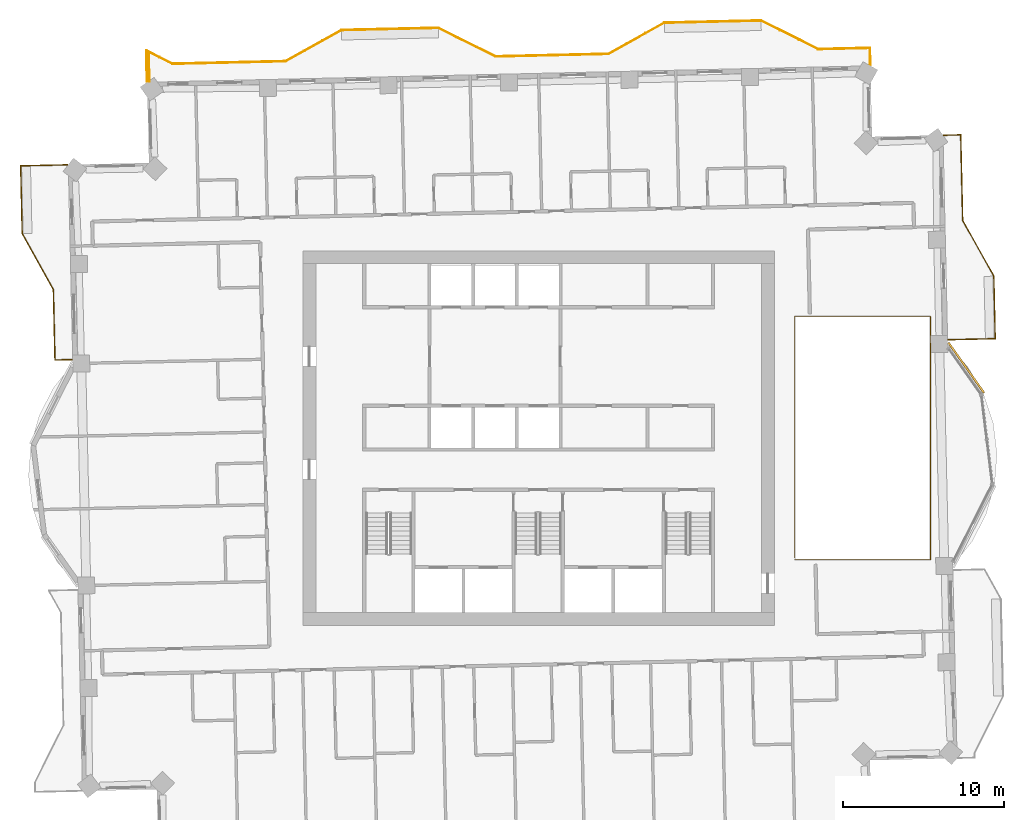
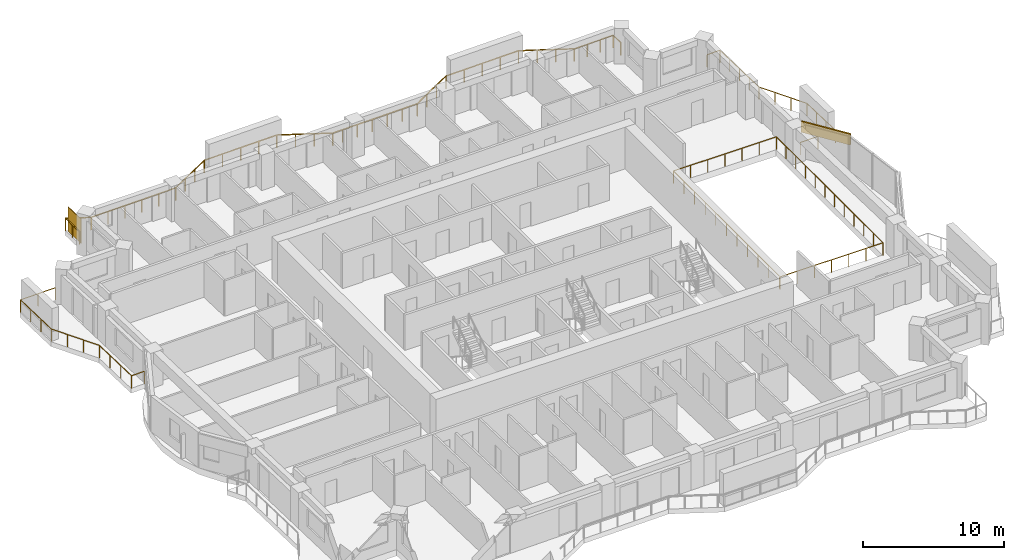
# One storey, part 17 of 17: 4 railings, 1 covering, 1 shading device.
"""IFC4 building model written with IfcOpenShell, lengths in metres."""

import ifcopenshell
import ifcopenshell.guid

model = None  # the IFC model being written
_history = None  # IfcOwnerHistory: only IFC2X3 demands one
_inside = {}  # id of a spatial element -> (the spatial element, [elements in it])
_under = {}  # id of a project, library or spatial element -> (it, [spatial elements below it])
_declared = {}  # id of a project -> (the project, [libraries it declares])
_typed = {}  # id of a type object -> (the type object, [elements of that type])
_made_of = {}  # id of a material, layer set ... -> (it, [elements and type objects made of it])


def new_model(schema):
    """Start an empty IFC model of exactly this schema.

    Asked for "IFC4X3", IfcOpenShell would pick the latest addendum, in which some entities
    have other attributes; the version numbers below select the first issue.
    IFC2X3 requires an IfcOwnerHistory on every rooted entity: one is made here for all.
    """
    global model, _history
    if schema == "IFC4X3":
        model = ifcopenshell.file(schema_version=(4, 3, 0, 0))
    else:
        model = ifcopenshell.file(schema=schema)
    _inside.clear()
    _under.clear()
    _declared.clear()
    _typed.clear()
    _made_of.clear()
    _history = None
    if model.schema == "IFC2X3":
        org = make("IfcOrganization", Name="unknown")
        user = make(
            "IfcPersonAndOrganization",
            ThePerson=make("IfcPerson", FamilyName="unknown"),
            TheOrganization=org,
        )
        app = make(
            "IfcApplication",
            ApplicationDeveloper=org,
            Version="unknown",
            ApplicationFullName="unknown",
            ApplicationIdentifier="unknown",
        )
        _history = make(
            "IfcOwnerHistory",
            OwningUser=user,
            OwningApplication=app,
            ChangeAction="ADDED",
            CreationDate=0,
        )
    return model


def make(cls, **values):
    """One entity of the class cls with the attributes given. An attribute that is None is left unset."""
    return model.create_entity(
        cls, **{name: value for name, value in values.items() if value is not None}
    )


def rooted(cls, **values):
    """An entity with a GlobalId (a new one), such as an element, a storey or a relation."""
    return make(cls, GlobalId=ifcopenshell.guid.new(), OwnerHistory=_history, **values)


def si_unit(unit_type, name, prefix=None):
    """IfcSIUnit, for example si_unit("LENGTHUNIT", "METRE", prefix="MILLI")."""
    return make("IfcSIUnit", UnitType=unit_type, Prefix=prefix, Name=name)


def assignment(units):
    """IfcUnitAssignment: the units of a project."""
    return None if units is None else make("IfcUnitAssignment", Units=units)


def point(xyz):
    """IfcCartesianPoint."""
    return None if xyz is None else make("IfcCartesianPoint", Coordinates=xyz)


def direction(xyz):
    """IfcDirection."""
    return None if xyz is None else make("IfcDirection", DirectionRatios=xyz)


def frame(location, z_axis=None, x_axis=None):
    """IfcAxis2Placement3D, a coordinate frame: its origin and axes. An axis left out is left unset."""
    return make(
        "IfcAxis2Placement3D",
        Location=point(location),
        Axis=direction(z_axis),
        RefDirection=direction(x_axis),
    )


def frame_2d(location, x_axis=None):
    """IfcAxis2Placement2D, a coordinate frame in the plane: its origin and x axis."""
    return make(
        "IfcAxis2Placement2D", Location=point(location), RefDirection=direction(x_axis)
    )


def origin():
    """The frame at (0, 0, 0) with its axes left unset."""
    return frame((0.0, 0.0, 0.0))


def origin_2d():
    """The frame at (0, 0) in the plane with its x axis left unset."""
    return frame_2d((0.0, 0.0))


def place(relative_to, where):
    """IfcLocalPlacement: puts the frame where relative to a parent placement (None: the world)."""
    return make(
        "IfcLocalPlacement", PlacementRelTo=relative_to, RelativePlacement=where
    )


def context(
    kind, dimensions, precision=None, world=None, true_north=None, identifier=None
):
    """IfcGeometricRepresentationContext, for example the 3D "Model" context."""
    return make(
        "IfcGeometricRepresentationContext",
        ContextIdentifier=identifier,
        ContextType=kind,
        CoordinateSpaceDimension=dimensions,
        Precision=precision,
        WorldCoordinateSystem=world,
        TrueNorth=true_north,
    )


def subcontext(parent, identifier, kind, view, scale=None):
    """IfcGeometricRepresentationSubContext, for example "Body" below "Model"."""
    return make(
        "IfcGeometricRepresentationSubContext",
        ContextIdentifier=identifier,
        ContextType=kind,
        ParentContext=parent,
        TargetScale=scale,
        TargetView=view,
    )


def project(units=None, contexts=None):
    """IfcProject with its units and contexts."""
    return rooted(
        "IfcProject",
        Name="project",
        RepresentationContexts=contexts,
        UnitsInContext=assignment(units),
    )


def spatial(cls, under=None, at=None, **own):
    """A site, building, storey or space (cls), placed at a placement, below another one or the project."""
    s = rooted(cls, ObjectPlacement=at, **own)
    if under is not None:
        _under.setdefault(under.id(), (under, []))[1].append(s)
    return s


def profile(cls, at=None, kind="AREA", **sizes):
    """A parametric profile (cls). Its sizes go by their IFC names, for example OverallWidth=200.0."""
    return make(cls, ProfileType=kind, Position=at, **sizes)


def rectangle(**sizes):
    """IfcRectangleProfileDef."""
    return profile("IfcRectangleProfileDef", **sizes)


def extrude(swept, where, along, depth):
    """IfcExtrudedAreaSolid: the profile swept, set in the frame where, extruded along a direction by depth."""
    return make(
        "IfcExtrudedAreaSolid",
        SweptArea=swept,
        Position=where,
        ExtrudedDirection=direction(along),
        Depth=depth,
    )


def shape(context_of_items, identifier, shape_type, items):
    """IfcShapeRepresentation: the items that make up one representation, for example the "Body"."""
    return make(
        "IfcShapeRepresentation",
        ContextOfItems=context_of_items,
        RepresentationIdentifier=identifier,
        RepresentationType=shape_type,
        Items=items,
    )


def material(Name=None, Category=None):
    """IfcMaterial."""
    return make("IfcMaterial", Name=Name, Category=Category)


def layer(
    of_material, thickness, ventilated=None, Name=None, Category=None, Priority=None
):
    """IfcMaterialLayer: one layer of a wall or slab, of a material (None: an air gap)."""
    return make(
        "IfcMaterialLayer",
        Material=of_material,
        LayerThickness=thickness,
        IsVentilated=ventilated,
        Name=Name,
        Category=Category,
        Priority=Priority,
    )


def layer_set(layers, Name=None):
    """IfcMaterialLayerSet."""
    return make("IfcMaterialLayerSet", MaterialLayers=layers, LayerSetName=Name)


def made_of(thing, what):
    """Note that an element or type object is made of a material, layer set ...; save() writes the relation."""
    if what is not None:
        _made_of.setdefault(what.id(), (what, []))[1].append(thing)
    return thing


def type_object(cls, material=None, **own):
    """A type object (cls), such as IfcWallType, which elements share."""
    return made_of(rooted(cls, **own), material)


def element(
    cls,
    number,
    at=None,
    inside=None,
    cuts=None,
    type_object=None,
    material=None,
    context=None,
    identifier="Body",
    shape_type=None,
    held_by="IfcProductDefinitionShape",
    body=None,
    shapes=None,
    **own,
):
    """One element of the class cls, such as IfcWall. Its Tag is "e" and its number.

    at: its placement. inside: the storey or other place that contains it. cuts: it is an
    opening in that element (IfcRelVoidsElement). A single representation is given by context,
    identifier, shape_type and body (its items); several are given by shapes. held_by: the class
    of the entity that holds the representations. save() writes the other relations.
    """
    e = rooted(cls, Tag="e%d" % number, ObjectPlacement=at, **own)
    if body is not None:
        shapes = [shape(context, identifier, shape_type, body)]
    if shapes is not None:
        e.Representation = make(held_by, Representations=shapes)
    if inside is not None:
        _inside.setdefault(inside.id(), (inside, []))[1].append(e)
    if cuts is not None:
        rooted(
            "IfcRelVoidsElement", RelatingBuildingElement=cuts, RelatedOpeningElement=e
        )
    if type_object is not None:
        _typed.setdefault(type_object.id(), (type_object, []))[1].append(e)
    return made_of(e, material)


def aggregate(whole, parts):
    """IfcRelAggregates: a whole, such as a stair, and the parts it consists of."""
    return rooted("IfcRelAggregates", RelatingObject=whole, RelatedObjects=parts)


def save(model, path):
    """Write the relations noted so far, then the file.

    IfcRelAggregates (storeys below a building ...), IfcRelContainedInSpatialStructure (elements
    in a storey), IfcRelDefinesByType, IfcRelAssociatesMaterial and IfcRelDeclares: one each for
    every whole, place, type object, material and project.
    """
    for whole, parts in _under.values():
        aggregate(whole, parts)
    for where, things in _inside.values():
        rooted(
            "IfcRelContainedInSpatialStructure",
            RelatedElements=things,
            RelatingStructure=where,
        )
    for kind, things in _typed.values():
        rooted("IfcRelDefinesByType", RelatedObjects=things, RelatingType=kind)
    for what, things in _made_of.values():
        rooted("IfcRelAssociatesMaterial", RelatedObjects=things, RelatingMaterial=what)
    for by, libraries in _declared.values():
        rooted("IfcRelDeclares", RelatingContext=by, RelatedDefinitions=libraries)
    model.write(path)


model = new_model("IFC4")

# Units and contexts
model_context = context("Model", 3, precision=1e-05, world=origin(), true_north=direction((0.0, 1.0)))
body_context = subcontext(model_context, "Body", "Model", "MODEL_VIEW")
ifc_project = project(units=[si_unit("LENGTHUNIT", "METRE"), si_unit("AREAUNIT", "SQUARE_METRE"), si_unit("VOLUMEUNIT", "CUBIC_METRE"), si_unit("PLANEANGLEUNIT", "RADIAN"), si_unit("MASSUNIT", "GRAM", prefix="KILO")], contexts=[model_context])

# Site, building, storey
site_placement = place(None, origin())
site = spatial("IfcSite", under=ifc_project, at=site_placement, CompositionType="ELEMENT")
building_placement = place(site_placement, origin())
building = spatial("IfcBuilding", under=site, at=building_placement, Name="Mangrove Gate Tower", CompositionType="ELEMENT")
storey_placement = place(building_placement, frame((0.0, 0.0, 241.89990234375)))
storey = spatial("IfcBuildingStorey", under=building, at=storey_placement, Name="L61", CompositionType="ELEMENT", Elevation=241.89990234375)

# Railings
ifc_material_1 = material(Name="Stainless steel grade 316 with laminated glass infill", Category="steel")
railing_type = type_object("IfcRailingType", Name="Balcony guard 1100", PredefinedType="GUARDRAIL", material=ifc_material_1)
railing_1_placement = place(storey_placement, frame((25.375, 6.089111328125, 0.0)))
element("IfcRailing", 1, at=railing_1_placement, inside=storey, type_object=railing_type, Name="GUARD L61 E2", PredefinedType="GUARDRAIL", context=body_context, shape_type="SweptSolid", body=[
    extrude(rectangle(XDim=0.048095703125, YDim=0.048095703125, at=origin_2d()), frame((0.0, 0.0, 1.076171875), z_axis=(0.999743521605, 0.022647097142, 0.0), x_axis=(-0.022647097142, 0.999743521605, 0.0)), (0.0, 0.0, 1.0), 2.91064453125),
    extrude(rectangle(XDim=0.048095703125, YDim=0.048095703125, at=origin_2d()), frame((2.909912109375, 0.06591796875, 1.076171875), z_axis=(-0.022681332769, 0.999742745482, 0.0), x_axis=(-0.999742745482, -0.022681332769, 0.0)), (0.0, 0.0, 1.0), 3.875),
    extrude(rectangle(XDim=0.048095703125, YDim=0.048095703125, at=origin_2d()), frame((2.822021484375, 3.93994140625, 1.076171875), z_axis=(-0.48726008209, 0.87325689943, 0.0), x_axis=(-0.87325689943, -0.48726008209, 0.0)), (0.0, 0.0, 1.0), 3.958740234375),
    extrude(rectangle(XDim=0.048095703125, YDim=0.048095703125, at=origin_2d()), frame((0.89306640625, 7.39697265625, 1.076171875), z_axis=(-0.022662810424, 0.99974316553, 0.0), x_axis=(-0.99974316553, -0.022662810424, 0.0)), (0.0, 0.0, 1.0), 5.30029296875),
    extrude(rectangle(XDim=0.048095703125, YDim=0.048095703125, at=origin_2d()), frame((0.77294921875, 12.69580078125, 1.076171875), z_axis=(-0.999745389313, -0.022564497502, 0.0), x_axis=(0.022564497502, -0.999745389313, 0.0)), (0.0, 0.0, 1.0), 1.060302734375),
    extrude(rectangle(XDim=0.0419921875, YDim=0.0419921875, at=origin_2d()), origin(), (0.0, 0.0, 1.0), 1.052001953125),
    extrude(rectangle(XDim=0.0419921875, YDim=0.0419921875, at=origin_2d()), frame((1.455078125, 0.032958984375, 0.0)), (0.0, 0.0, 1.0), 1.052001953125),
    extrude(rectangle(XDim=0.0419921875, YDim=0.0419921875, at=origin_2d()), frame((2.909912109375, 0.06591796875, 0.0)), (0.0, 0.0, 1.0), 1.052001953125),
    extrude(rectangle(XDim=0.0419921875, YDim=0.0419921875, at=origin_2d()), frame((2.880615234375, 1.357177734375, 0.0)), (0.0, 0.0, 1.0), 1.052001953125),
    extrude(rectangle(XDim=0.0419921875, YDim=0.0419921875, at=origin_2d()), frame((2.851318359375, 2.648681640625, 0.0)), (0.0, 0.0, 1.0), 1.052001953125),
    extrude(rectangle(XDim=0.0419921875, YDim=0.0419921875, at=origin_2d()), frame((2.822021484375, 3.93994140625, 0.0)), (0.0, 0.0, 1.0), 1.052001953125),
    extrude(rectangle(XDim=0.0419921875, YDim=0.0419921875, at=origin_2d()), frame((2.178955078125, 5.09228515625, 0.0)), (0.0, 0.0, 1.0), 1.052001953125),
    extrude(rectangle(XDim=0.0419921875, YDim=0.0419921875, at=origin_2d()), frame((1.5361328125, 6.24462890625, 0.0)), (0.0, 0.0, 1.0), 1.052001953125),
    extrude(rectangle(XDim=0.0419921875, YDim=0.0419921875, at=origin_2d()), frame((0.89306640625, 7.39697265625, 0.0)), (0.0, 0.0, 1.0), 1.052001953125),
    extrude(rectangle(XDim=0.0419921875, YDim=0.0419921875, at=origin_2d()), frame((0.863037109375, 8.7216796875, 0.0)), (0.0, 0.0, 1.0), 1.052001953125),
    extrude(rectangle(XDim=0.0419921875, YDim=0.0419921875, at=origin_2d()), frame((0.8330078125, 10.04638671875, 0.0)), (0.0, 0.0, 1.0), 1.052001953125),
    extrude(rectangle(XDim=0.0419921875, YDim=0.0419921875, at=origin_2d()), frame((0.802978515625, 11.37109375, 0.0)), (0.0, 0.0, 1.0), 1.052001953125),
    extrude(rectangle(XDim=0.0419921875, YDim=0.0419921875, at=origin_2d()), frame((0.77294921875, 12.69580078125, 0.0)), (0.0, 0.0, 1.0), 1.052001953125),
    extrude(rectangle(XDim=0.0419921875, YDim=0.0419921875, at=origin_2d()), frame((-0.287109375, 12.671875, 0.0)), (0.0, 0.0, 1.0), 1.052001953125),
])
railing_2_placement = place(storey_placement, frame((20.548095703125, 23.09912109375, 0.0)))
element("IfcRailing", 2, at=railing_2_placement, inside=storey, type_object=railing_type, Name="GUARD L61 N1", PredefinedType="GUARDRAIL", context=body_context, shape_type="SweptSolid", body=[
    extrude(rectangle(XDim=0.048095703125, YDim=0.048095703125, at=origin_2d()), frame((0.0, 0.0, 1.076171875), z_axis=(-0.022799876723, 0.999740049023, 0.0), x_axis=(-0.999740049023, -0.022799876723, 0.0)), (0.0, 0.0, 1.0), 1.06005859375),
    extrude(rectangle(XDim=0.048095703125, YDim=0.048095703125, at=origin_2d()), frame((-0.024169921875, 1.059814453125, 1.076171875), z_axis=(-0.999740377838, -0.022785454148, 0.0), x_axis=(0.022785454148, -0.999740377838, 0.0)), (0.0, 0.0, 1.0), 3.20361328125),
    extrude(rectangle(XDim=0.048095703125, YDim=0.048095703125, at=origin_2d()), frame((-3.22705078125, 0.98681640625, 1.076171875), z_axis=(-0.894476522376, 0.447114919141, 0.0), x_axis=(-0.447114919141, -0.894476522376, 0.0)), (0.0, 0.0, 1.0), 3.958740234375),
    extrude(rectangle(XDim=0.048095703125, YDim=0.048095703125, at=origin_2d()), frame((-6.76806640625, 2.7568359375, 1.076171875), z_axis=(-0.999743094499, -0.022665943652, 0.0), x_axis=(0.022665943652, -0.999743094499, 0.0)), (0.0, 0.0, 1.0), 5.99951171875),
    extrude(rectangle(XDim=0.048095703125, YDim=0.048095703125, at=origin_2d()), frame((-12.76611328125, 2.620849609375, 1.076171875), z_axis=(-0.873315448515, -0.487155136876, 0.0), x_axis=(0.487155136876, -0.873315448515, 0.0)), (0.0, 0.0, 1.0), 3.959716796875),
    extrude(rectangle(XDim=0.048095703125, YDim=0.048095703125, at=origin_2d()), frame((-16.22412109375, 0.69189453125, 1.076171875), z_axis=(-0.999740919865, -0.022761659577, 0.0), x_axis=(0.022761659577, -0.999740919865, 0.0)), (0.0, 0.0, 1.0), 6.19970703125),
    extrude(rectangle(XDim=0.048095703125, YDim=0.048095703125, at=origin_2d()), frame((-22.422119140625, 0.55078125, 1.076171875), z_axis=(-0.999751971697, -0.022270947188, 0.0), x_axis=(0.022270947188, -0.999751971697, 0.0)), (0.0, 0.0, 1.0), 0.80029296875),
    extrude(rectangle(XDim=0.048095703125, YDim=0.048095703125, at=origin_2d()), frame((-23.22216796875, 0.532958984375, 1.076171875), z_axis=(-0.894476522376, 0.447114919141, 0.0), x_axis=(-0.447114919141, -0.894476522376, 0.0)), (0.0, 0.0, 1.0), 3.958740234375),
    extrude(rectangle(XDim=0.048095703125, YDim=0.048095703125, at=origin_2d()), frame((-26.76318359375, 2.302978515625, 1.076171875), z_axis=(-0.999743073592, -0.022666865795, 0.0), x_axis=(0.022666865795, -0.999743073592, 0.0)), (0.0, 0.0, 1.0), 5.999267578125),
    extrude(rectangle(XDim=0.048095703125, YDim=0.048095703125, at=origin_2d()), frame((-32.760986328125, 2.1669921875, 1.076171875), z_axis=(-0.873230657876, -0.487307108654, 0.0), x_axis=(0.487307108654, -0.873230657876, 0.0)), (0.0, 0.0, 1.0), 3.958984375),
    extrude(rectangle(XDim=0.048095703125, YDim=0.048095703125, at=origin_2d()), frame((-36.218017578125, 0.23779296875, 1.076171875), z_axis=(-0.999742267452, -0.022702393474, 0.0), x_axis=(0.022702393474, -0.999742267452, 0.0)), (0.0, 0.0, 1.0), 7.000732421875),
    extrude(rectangle(XDim=0.048095703125, YDim=0.048095703125, at=origin_2d()), frame((-43.217041015625, 0.078857421875, 1.076171875), z_axis=(-0.894211744323, 0.447644229623, 0.0), x_axis=(-0.447644229623, -0.894211744323, 0.0)), (0.0, 0.0, 1.0), 1.81396484375),
    extrude(rectangle(XDim=0.048095703125, YDim=0.048095703125, at=origin_2d()), frame((-44.839111328125, 0.890869140625, 1.076171875), z_axis=(0.022515084401, -0.999746503357, 0.0), x_axis=(0.999746503357, 0.022515084401, 0.0)), (0.0, 0.0, 1.0), 1.908447265625),
    extrude(rectangle(XDim=0.0419921875, YDim=0.0419921875, at=origin_2d()), origin(), (0.0, 0.0, 1.0), 1.052001953125),
    extrude(rectangle(XDim=0.0419921875, YDim=0.0419921875, at=origin_2d()), frame((-0.024169921875, 1.059814453125, 0.0)), (0.0, 0.0, 1.0), 1.052001953125),
    extrude(rectangle(XDim=0.0419921875, YDim=0.0419921875, at=origin_2d()), frame((-1.091796875, 1.035400390625, 0.0)), (0.0, 0.0, 1.0), 1.052001953125),
    extrude(rectangle(XDim=0.0419921875, YDim=0.0419921875, at=origin_2d()), frame((-2.159423828125, 1.01123046875, 0.0)), (0.0, 0.0, 1.0), 1.052001953125),
    extrude(rectangle(XDim=0.0419921875, YDim=0.0419921875, at=origin_2d()), frame((-3.22705078125, 0.98681640625, 0.0)), (0.0, 0.0, 1.0), 1.052001953125),
    extrude(rectangle(XDim=0.0419921875, YDim=0.0419921875, at=origin_2d()), frame((-4.407470703125, 1.576904296875, 0.0)), (0.0, 0.0, 1.0), 1.052001953125),
    extrude(rectangle(XDim=0.0419921875, YDim=0.0419921875, at=origin_2d()), frame((-5.587646484375, 2.166748046875, 0.0)), (0.0, 0.0, 1.0), 1.052001953125),
    extrude(rectangle(XDim=0.0419921875, YDim=0.0419921875, at=origin_2d()), frame((-6.76806640625, 2.7568359375, 0.0)), (0.0, 0.0, 1.0), 1.052001953125),
    extrude(rectangle(XDim=0.0419921875, YDim=0.0419921875, at=origin_2d()), frame((-8.267578125, 2.722900390625, 0.0)), (0.0, 0.0, 1.0), 1.052001953125),
    extrude(rectangle(XDim=0.0419921875, YDim=0.0419921875, at=origin_2d()), frame((-9.76708984375, 2.68896484375, 0.0)), (0.0, 0.0, 1.0), 1.052001953125),
    extrude(rectangle(XDim=0.0419921875, YDim=0.0419921875, at=origin_2d()), frame((-11.2666015625, 2.65478515625, 0.0)), (0.0, 0.0, 1.0), 1.052001953125),
    extrude(rectangle(XDim=0.0419921875, YDim=0.0419921875, at=origin_2d()), frame((-12.76611328125, 2.620849609375, 0.0)), (0.0, 0.0, 1.0), 1.052001953125),
    extrude(rectangle(XDim=0.0419921875, YDim=0.0419921875, at=origin_2d()), frame((-13.918701171875, 1.977783203125, 0.0)), (0.0, 0.0, 1.0), 1.052001953125),
    extrude(rectangle(XDim=0.0419921875, YDim=0.0419921875, at=origin_2d()), frame((-15.071533203125, 1.3349609375, 0.0)), (0.0, 0.0, 1.0), 1.052001953125),
    extrude(rectangle(XDim=0.0419921875, YDim=0.0419921875, at=origin_2d()), frame((-16.22412109375, 0.69189453125, 0.0)), (0.0, 0.0, 1.0), 1.052001953125),
    extrude(rectangle(XDim=0.0419921875, YDim=0.0419921875, at=origin_2d()), frame((-17.463623046875, 0.66357421875, 0.0)), (0.0, 0.0, 1.0), 1.052001953125),
    extrude(rectangle(XDim=0.0419921875, YDim=0.0419921875, at=origin_2d()), frame((-18.703369140625, 0.635498046875, 0.0)), (0.0, 0.0, 1.0), 1.052001953125),
    extrude(rectangle(XDim=0.0419921875, YDim=0.0419921875, at=origin_2d()), frame((-19.94287109375, 0.607177734375, 0.0)), (0.0, 0.0, 1.0), 1.052001953125),
    extrude(rectangle(XDim=0.0419921875, YDim=0.0419921875, at=origin_2d()), frame((-21.1826171875, 0.5791015625, 0.0)), (0.0, 0.0, 1.0), 1.052001953125),
    extrude(rectangle(XDim=0.0419921875, YDim=0.0419921875, at=origin_2d()), frame((-22.422119140625, 0.55078125, 0.0)), (0.0, 0.0, 1.0), 1.052001953125),
    extrude(rectangle(XDim=0.0419921875, YDim=0.0419921875, at=origin_2d()), frame((-23.22216796875, 0.532958984375, 0.0)), (0.0, 0.0, 1.0), 1.052001953125),
    extrude(rectangle(XDim=0.0419921875, YDim=0.0419921875, at=origin_2d()), frame((-24.402587890625, 1.123046875, 0.0)), (0.0, 0.0, 1.0), 1.052001953125),
    extrude(rectangle(XDim=0.0419921875, YDim=0.0419921875, at=origin_2d()), frame((-25.582763671875, 1.712890625, 0.0)), (0.0, 0.0, 1.0), 1.052001953125),
    extrude(rectangle(XDim=0.0419921875, YDim=0.0419921875, at=origin_2d()), frame((-26.76318359375, 2.302978515625, 0.0)), (0.0, 0.0, 1.0), 1.052001953125),
    extrude(rectangle(XDim=0.0419921875, YDim=0.0419921875, at=origin_2d()), frame((-28.2626953125, 2.26904296875, 0.0)), (0.0, 0.0, 1.0), 1.052001953125),
    extrude(rectangle(XDim=0.0419921875, YDim=0.0419921875, at=origin_2d()), frame((-29.76220703125, 2.23486328125, 0.0)), (0.0, 0.0, 1.0), 1.052001953125),
    extrude(rectangle(XDim=0.0419921875, YDim=0.0419921875, at=origin_2d()), frame((-31.261474609375, 2.200927734375, 0.0)), (0.0, 0.0, 1.0), 1.052001953125),
    extrude(rectangle(XDim=0.0419921875, YDim=0.0419921875, at=origin_2d()), frame((-32.760986328125, 2.1669921875, 0.0)), (0.0, 0.0, 1.0), 1.052001953125),
    extrude(rectangle(XDim=0.0419921875, YDim=0.0419921875, at=origin_2d()), frame((-33.913330078125, 1.52392578125, 0.0)), (0.0, 0.0, 1.0), 1.052001953125),
    extrude(rectangle(XDim=0.0419921875, YDim=0.0419921875, at=origin_2d()), frame((-35.065673828125, 0.880859375, 0.0)), (0.0, 0.0, 1.0), 1.052001953125),
    extrude(rectangle(XDim=0.0419921875, YDim=0.0419921875, at=origin_2d()), frame((-36.218017578125, 0.23779296875, 0.0)), (0.0, 0.0, 1.0), 1.052001953125),
    extrude(rectangle(XDim=0.0419921875, YDim=0.0419921875, at=origin_2d()), frame((-37.617919921875, 0.2060546875, 0.0)), (0.0, 0.0, 1.0), 1.052001953125),
    extrude(rectangle(XDim=0.0419921875, YDim=0.0419921875, at=origin_2d()), frame((-39.017578125, 0.17431640625, 0.0)), (0.0, 0.0, 1.0), 1.052001953125),
    extrude(rectangle(XDim=0.0419921875, YDim=0.0419921875, at=origin_2d()), frame((-40.41748046875, 0.142333984375, 0.0)), (0.0, 0.0, 1.0), 1.052001953125),
    extrude(rectangle(XDim=0.0419921875, YDim=0.0419921875, at=origin_2d()), frame((-41.817138671875, 0.110595703125, 0.0)), (0.0, 0.0, 1.0), 1.052001953125),
    extrude(rectangle(XDim=0.0419921875, YDim=0.0419921875, at=origin_2d()), frame((-43.217041015625, 0.078857421875, 0.0)), (0.0, 0.0, 1.0), 1.052001953125),
    extrude(rectangle(XDim=0.0419921875, YDim=0.0419921875, at=origin_2d()), frame((-44.028076171875, 0.48486328125, 0.0)), (0.0, 0.0, 1.0), 1.052001953125),
    extrude(rectangle(XDim=0.0419921875, YDim=0.0419921875, at=origin_2d()), frame((-44.839111328125, 0.890869140625, 0.0)), (0.0, 0.0, 1.0), 1.052001953125),
    extrude(rectangle(XDim=0.0419921875, YDim=0.0419921875, at=origin_2d()), frame((-44.817626953125, -0.06298828125, 0.0)), (0.0, 0.0, 1.0), 1.052001953125),
    extrude(rectangle(XDim=0.0419921875, YDim=0.0419921875, at=origin_2d()), frame((-44.796142578125, -1.01708984375, 0.0)), (0.0, 0.0, 1.0), 1.052001953125),
])
railing_3_placement = place(storey_placement, frame((-29.173095703125, 16.928955078125, 0.0)))
element("IfcRailing", 3, at=railing_3_placement, inside=storey, type_object=railing_type, Name="GUARD L61 W1", PredefinedType="GUARDRAIL", context=body_context, shape_type="SweptSolid", body=[
    extrude(rectangle(XDim=0.048095703125, YDim=0.048095703125, at=origin_2d()), frame((0.0, 0.0, 1.076171875), z_axis=(-0.999743349437, -0.022654696127, 0.0), x_axis=(0.022654696127, -0.999743349437, 0.0)), (0.0, 0.0, 1.0), 2.90966796875),
    extrude(rectangle(XDim=0.048095703125, YDim=0.048095703125, at=origin_2d()), frame((-2.908935546875, -0.06591796875, 1.076171875), z_axis=(0.022611811187, -0.999744320311, 0.0), x_axis=(0.999744320311, 0.022611811187, 0.0)), (0.0, 0.0, 1.0), 4.199951171875),
    extrude(rectangle(XDim=0.048095703125, YDim=0.048095703125, at=origin_2d()), frame((-2.81396484375, -4.264892578125, 1.076171875), z_axis=(0.48726008209, -0.87325689943, 0.0), x_axis=(0.87325689943, 0.48726008209, 0.0)), (0.0, 0.0, 1.0), 3.958740234375),
    extrude(rectangle(XDim=0.048095703125, YDim=0.048095703125, at=origin_2d()), frame((-0.885009765625, -7.721923828125, 1.076171875), z_axis=(0.022883688867, -0.999738134105, 0.0), x_axis=(0.999738134105, 0.022883688867, 0.0)), (0.0, 0.0, 1.0), 4.374267578125),
    extrude(rectangle(XDim=0.048095703125, YDim=0.048095703125, at=origin_2d()), frame((-0.784912109375, -12.094970703125, 1.076171875), z_axis=(0.999744919731, 0.022585293253, 0.0), x_axis=(-0.022585293253, 0.999744919731, 0.0)), (0.0, 0.0, 1.0), 1.059326171875),
    extrude(rectangle(XDim=0.0419921875, YDim=0.0419921875, at=origin_2d()), origin(), (0.0, 0.0, 1.0), 1.052001953125),
    extrude(rectangle(XDim=0.0419921875, YDim=0.0419921875, at=origin_2d()), frame((-1.45458984375, -0.032958984375, 0.0)), (0.0, 0.0, 1.0), 1.052001953125),
    extrude(rectangle(XDim=0.0419921875, YDim=0.0419921875, at=origin_2d()), frame((-2.908935546875, -0.06591796875, 0.0)), (0.0, 0.0, 1.0), 1.052001953125),
    extrude(rectangle(XDim=0.0419921875, YDim=0.0419921875, at=origin_2d()), frame((-2.877197265625, -1.465576171875, 0.0)), (0.0, 0.0, 1.0), 1.052001953125),
    extrude(rectangle(XDim=0.0419921875, YDim=0.0419921875, at=origin_2d()), frame((-2.845703125, -2.865234375, 0.0)), (0.0, 0.0, 1.0), 1.052001953125),
    extrude(rectangle(XDim=0.0419921875, YDim=0.0419921875, at=origin_2d()), frame((-2.81396484375, -4.264892578125, 0.0)), (0.0, 0.0, 1.0), 1.052001953125),
    extrude(rectangle(XDim=0.0419921875, YDim=0.0419921875, at=origin_2d()), frame((-2.1708984375, -5.417236328125, 0.0)), (0.0, 0.0, 1.0), 1.052001953125),
    extrude(rectangle(XDim=0.0419921875, YDim=0.0419921875, at=origin_2d()), frame((-1.528076171875, -6.569580078125, 0.0)), (0.0, 0.0, 1.0), 1.052001953125),
    extrude(rectangle(XDim=0.0419921875, YDim=0.0419921875, at=origin_2d()), frame((-0.885009765625, -7.721923828125, 0.0)), (0.0, 0.0, 1.0), 1.052001953125),
    extrude(rectangle(XDim=0.0419921875, YDim=0.0419921875, at=origin_2d()), frame((-0.8515625, -9.1796875, 0.0)), (0.0, 0.0, 1.0), 1.052001953125),
    extrude(rectangle(XDim=0.0419921875, YDim=0.0419921875, at=origin_2d()), frame((-0.818359375, -10.63720703125, 0.0)), (0.0, 0.0, 1.0), 1.052001953125),
    extrude(rectangle(XDim=0.0419921875, YDim=0.0419921875, at=origin_2d()), frame((-0.784912109375, -12.094970703125, 0.0)), (0.0, 0.0, 1.0), 1.052001953125),
    extrude(rectangle(XDim=0.0419921875, YDim=0.0419921875, at=origin_2d()), frame((0.274169921875, -12.071044921875, 0.0)), (0.0, 0.0, 1.0), 1.052001953125),
])
railing_4_placement = place(storey_placement, frame((15.860107421875, -7.5400390625, 0.0)))
element("IfcRailing", 4, at=railing_4_placement, inside=storey, type_object=railing_type, Name="GUARD L61 atrium", PredefinedType="GUARDRAIL", context=body_context, shape_type="SweptSolid", body=[
    extrude(rectangle(XDim=0.048095703125, YDim=0.048095703125, at=origin_2d()), frame((0.0, 0.0, 1.076171875), z_axis=(1.0, 0.0, 0.0), x_axis=(0.0, 1.0, 0.0)), (0.0, 0.0, 1.0), 8.406982421875),
    extrude(rectangle(XDim=0.048095703125, YDim=0.048095703125, at=origin_2d()), frame((8.406982421875, 0.0, 1.076171875), z_axis=(0.0, 1.0, 0.0), x_axis=(-1.0, 0.0, 0.0)), (0.0, 0.0, 1.0), 15.080078125),
    extrude(rectangle(XDim=0.048095703125, YDim=0.048095703125, at=origin_2d()), frame((8.406982421875, 15.080078125, 1.076171875), z_axis=(-1.0, 0.0, 0.0), x_axis=(0.0, -1.0, 0.0)), (0.0, 0.0, 1.0), 8.406982421875),
    extrude(rectangle(XDim=0.048095703125, YDim=0.048095703125, at=origin_2d()), frame((0.0, 15.080078125, 1.076171875), z_axis=(0.0, -1.0, 0.0), x_axis=(1.0, 0.0, 0.0)), (0.0, 0.0, 1.0), 14.9599609375),
    extrude(rectangle(XDim=0.0419921875, YDim=0.0419921875, at=origin_2d()), origin(), (0.0, 0.0, 1.0), 1.052001953125),
    extrude(rectangle(XDim=0.0419921875, YDim=0.0419921875, at=origin_2d()), frame((1.401123046875, 0.0, 0.0)), (0.0, 0.0, 1.0), 1.052001953125),
    extrude(rectangle(XDim=0.0419921875, YDim=0.0419921875, at=origin_2d()), frame((2.80224609375, 0.0, 0.0)), (0.0, 0.0, 1.0), 1.052001953125),
    extrude(rectangle(XDim=0.0419921875, YDim=0.0419921875, at=origin_2d()), frame((4.20361328125, 0.0, 0.0)), (0.0, 0.0, 1.0), 1.052001953125),
    extrude(rectangle(XDim=0.0419921875, YDim=0.0419921875, at=origin_2d()), frame((5.604736328125, 0.0, 0.0)), (0.0, 0.0, 1.0), 1.052001953125),
    extrude(rectangle(XDim=0.0419921875, YDim=0.0419921875, at=origin_2d()), frame((7.005859375, 0.0, 0.0)), (0.0, 0.0, 1.0), 1.052001953125),
    extrude(rectangle(XDim=0.0419921875, YDim=0.0419921875, at=origin_2d()), frame((8.406982421875, 0.0, 0.0)), (0.0, 0.0, 1.0), 1.052001953125),
    extrude(rectangle(XDim=0.0419921875, YDim=0.0419921875, at=origin_2d()), frame((8.406982421875, 1.370849609375, 0.0)), (0.0, 0.0, 1.0), 1.052001953125),
    extrude(rectangle(XDim=0.0419921875, YDim=0.0419921875, at=origin_2d()), frame((8.406982421875, 2.741943359375, 0.0)), (0.0, 0.0, 1.0), 1.052001953125),
    extrude(rectangle(XDim=0.0419921875, YDim=0.0419921875, at=origin_2d()), frame((8.406982421875, 4.11279296875, 0.0)), (0.0, 0.0, 1.0), 1.052001953125),
    extrude(rectangle(XDim=0.0419921875, YDim=0.0419921875, at=origin_2d()), frame((8.406982421875, 5.483642578125, 0.0)), (0.0, 0.0, 1.0), 1.052001953125),
    extrude(rectangle(XDim=0.0419921875, YDim=0.0419921875, at=origin_2d()), frame((8.406982421875, 6.8544921875, 0.0)), (0.0, 0.0, 1.0), 1.052001953125),
    extrude(rectangle(XDim=0.0419921875, YDim=0.0419921875, at=origin_2d()), frame((8.406982421875, 8.2255859375, 0.0)), (0.0, 0.0, 1.0), 1.052001953125),
    extrude(rectangle(XDim=0.0419921875, YDim=0.0419921875, at=origin_2d()), frame((8.406982421875, 9.596435546875, 0.0)), (0.0, 0.0, 1.0), 1.052001953125),
    extrude(rectangle(XDim=0.0419921875, YDim=0.0419921875, at=origin_2d()), frame((8.406982421875, 10.96728515625, 0.0)), (0.0, 0.0, 1.0), 1.052001953125),
    extrude(rectangle(XDim=0.0419921875, YDim=0.0419921875, at=origin_2d()), frame((8.406982421875, 12.338134765625, 0.0)), (0.0, 0.0, 1.0), 1.052001953125),
    extrude(rectangle(XDim=0.0419921875, YDim=0.0419921875, at=origin_2d()), frame((8.406982421875, 13.709228515625, 0.0)), (0.0, 0.0, 1.0), 1.052001953125),
    extrude(rectangle(XDim=0.0419921875, YDim=0.0419921875, at=origin_2d()), frame((8.406982421875, 15.080078125, 0.0)), (0.0, 0.0, 1.0), 1.052001953125),
    extrude(rectangle(XDim=0.0419921875, YDim=0.0419921875, at=origin_2d()), frame((7.005859375, 15.080078125, 0.0)), (0.0, 0.0, 1.0), 1.052001953125),
    extrude(rectangle(XDim=0.0419921875, YDim=0.0419921875, at=origin_2d()), frame((5.604736328125, 15.080078125, 0.0)), (0.0, 0.0, 1.0), 1.052001953125),
    extrude(rectangle(XDim=0.0419921875, YDim=0.0419921875, at=origin_2d()), frame((4.20361328125, 15.080078125, 0.0)), (0.0, 0.0, 1.0), 1.052001953125),
    extrude(rectangle(XDim=0.0419921875, YDim=0.0419921875, at=origin_2d()), frame((2.80224609375, 15.080078125, 0.0)), (0.0, 0.0, 1.0), 1.052001953125),
    extrude(rectangle(XDim=0.0419921875, YDim=0.0419921875, at=origin_2d()), frame((1.401123046875, 15.080078125, 0.0)), (0.0, 0.0, 1.0), 1.052001953125),
    extrude(rectangle(XDim=0.0419921875, YDim=0.0419921875, at=origin_2d()), frame((0.0, 15.080078125, 0.0)), (0.0, 0.0, 1.0), 1.052001953125),
    extrude(rectangle(XDim=0.0419921875, YDim=0.0419921875, at=origin_2d()), frame((0.0, 13.583984375, 0.0)), (0.0, 0.0, 1.0), 1.052001953125),
    extrude(rectangle(XDim=0.0419921875, YDim=0.0419921875, at=origin_2d()), frame((0.0, 12.088134765625, 0.0)), (0.0, 0.0, 1.0), 1.052001953125),
    extrude(rectangle(XDim=0.0419921875, YDim=0.0419921875, at=origin_2d()), frame((0.0, 10.592041015625, 0.0)), (0.0, 0.0, 1.0), 1.052001953125),
    extrude(rectangle(XDim=0.0419921875, YDim=0.0419921875, at=origin_2d()), frame((0.0, 9.09619140625, 0.0)), (0.0, 0.0, 1.0), 1.052001953125),
    extrude(rectangle(XDim=0.0419921875, YDim=0.0419921875, at=origin_2d()), frame((0.0, 7.60009765625, 0.0)), (0.0, 0.0, 1.0), 1.052001953125),
    extrude(rectangle(XDim=0.0419921875, YDim=0.0419921875, at=origin_2d()), frame((0.0, 6.10400390625, 0.0)), (0.0, 0.0, 1.0), 1.052001953125),
    extrude(rectangle(XDim=0.0419921875, YDim=0.0419921875, at=origin_2d()), frame((0.0, 4.608154296875, 0.0)), (0.0, 0.0, 1.0), 1.052001953125),
    extrude(rectangle(XDim=0.0419921875, YDim=0.0419921875, at=origin_2d()), frame((0.0, 3.112060546875, 0.0)), (0.0, 0.0, 1.0), 1.052001953125),
    extrude(rectangle(XDim=0.0419921875, YDim=0.0419921875, at=origin_2d()), frame((0.0, 1.6162109375, 0.0)), (0.0, 0.0, 1.0), 1.052001953125),
    extrude(rectangle(XDim=0.0419921875, YDim=0.0419921875, at=origin_2d()), frame((0.0, 0.1201171875, 0.0)), (0.0, 0.0, 1.0), 1.052001953125),
])

# Shading device
ifc_material_2 = material(Name="Timber slat screen in teak", Category="wood")
shading_device_type = type_object("IfcShadingDeviceType", Name="Balcony screen 2100", PredefinedType="USERDEFINED", material=ifc_material_2)
shading_device_placement = place(storey_placement, frame((-24.1279296875, 22.958984375, 0.0), z_axis=(0.0, 0.0, 1.0), x_axis=(-0.022634987141, 0.999743795858, 0.0)))
element("IfcShadingDevice", 5, at=shading_device_placement, inside=storey, type_object=shading_device_type, Name="SCREEN L61 N1", ObjectType="SCREEN", PredefinedType="USERDEFINED", context=body_context, shape_type="SweptSolid", body=[
    extrude(rectangle(XDim=1.7890625, YDim=0.050048828125, at=origin_2d()), origin(), (0.0, 0.0, 1.0), 2.10009765625),
])

# Covering
ifc_material_3 = material(Name="Limestone", Category="masonry")
ifc_layer_1 = layer(ifc_material_3, 0.0400390625, Name="Limestone cladding")
ifc_material_4 = material(Name="Stainless steel anchors and cavity", Category="steel")
ifc_layer_2 = layer(ifc_material_4, 0.080078125, Name="Fixing cavity")
ifc_layer_set = layer_set([ifc_layer_1, ifc_layer_2], Name="Joint fascia cladding 120")
covering_type = type_object("IfcCoveringType", Name="Joint fascia cladding 120", PredefinedType="CLADDING", material=ifc_layer_set)
covering_placement = place(storey_placement, frame((27.591064453125, 2.802978515625, 2.10009765625), z_axis=(0.0, 0.0, 1.0), x_axis=(-0.578168098379, 0.815917673553, 0.0)))
element("IfcCovering", 6, at=covering_placement, inside=storey, type_object=covering_type, Name="STONE FASCIA L61 E1.L2", PredefinedType="CLADDING", context=body_context, shape_type="SweptSolid", body=[
    extrude(rectangle(XDim=3.819091796875, YDim=0.1201171875, at=frame_2d((1.90966796875, 0.0))), origin(), (0.0, 0.0, 1.0), 0.949951171875),
])

save(model, "model.ifc")
